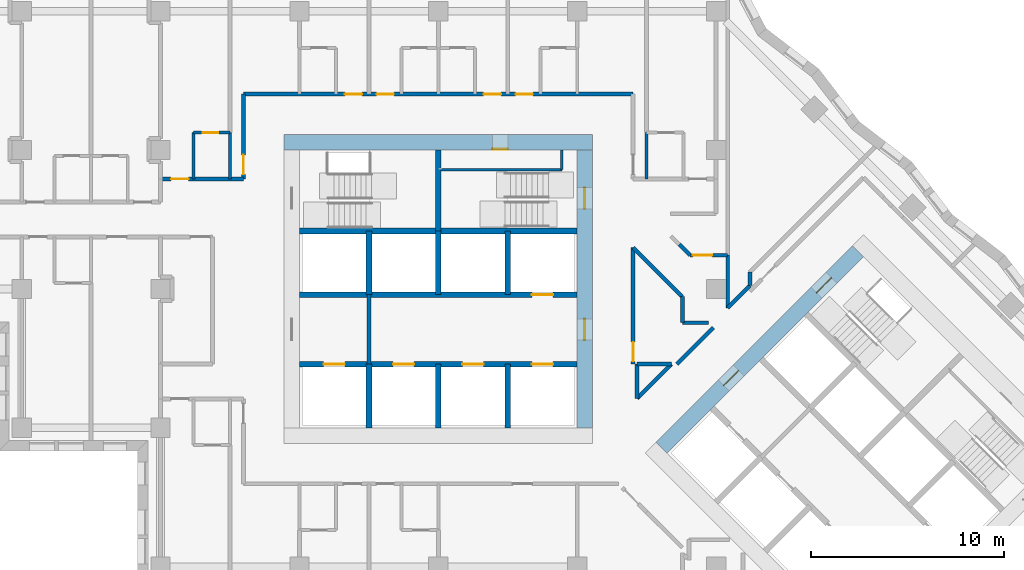
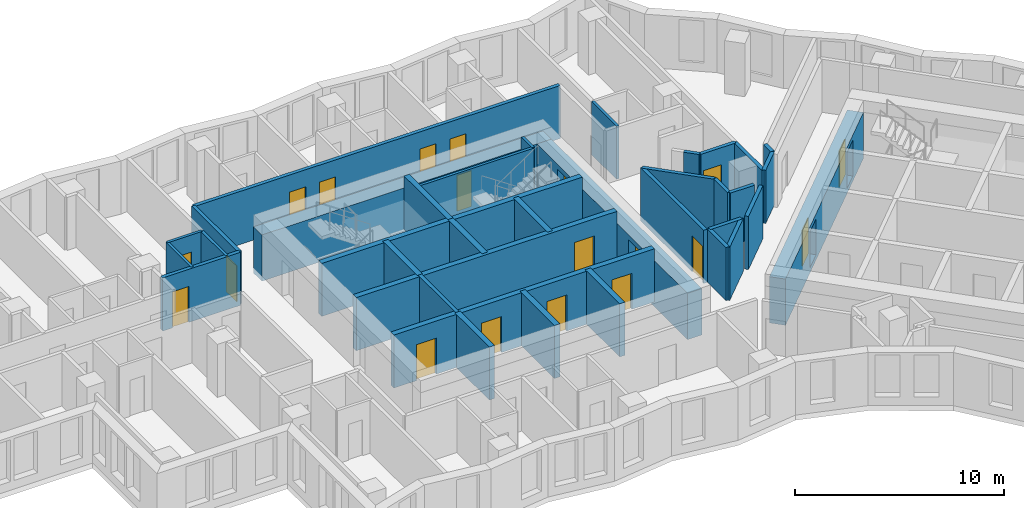
# One storey, part 6 of 13: 37 walls, 19 doors, 19 openings.
"""IFC4 building model written with IfcOpenShell, lengths in metres."""

from ifc_helpers import new_model, si_unit, direction, frame, frame_2d, origin, place, context, subcontext, project, spatial, rectangle, extrude, material, layer, layer_set, type_object, element, fill, save


model = new_model("IFC4")

# Units and contexts
model_context = context("Model", 3, precision=1e-05, world=origin(), true_north=direction((0.0, 1.0)))
body_context = subcontext(model_context, "Body", "Model", "MODEL_VIEW")
ifc_project = project(units=[si_unit("LENGTHUNIT", "METRE"), si_unit("AREAUNIT", "SQUARE_METRE"), si_unit("VOLUMEUNIT", "CUBIC_METRE"), si_unit("PLANEANGLEUNIT", "RADIAN"), si_unit("MASSUNIT", "GRAM", prefix="KILO")], contexts=[model_context])

# Site, building, storey
site_placement = place(None, origin())
site = spatial("IfcSite", under=ifc_project, at=site_placement, CompositionType="ELEMENT")
building_placement = place(site_placement, origin())
building = spatial("IfcBuilding", under=site, at=building_placement, Name="Windrow Commons", CompositionType="ELEMENT")
storey_placement = place(building_placement, frame((0.0, 0.0, 98.2)))
storey = spatial("IfcBuildingStorey", under=building, at=storey_placement, Name="L26", CompositionType="ELEMENT", Elevation=98.2)

# Wall
ifc_material_1 = material(Name="Blockwork partition", Category="masonry")
ifc_layer_1 = layer(ifc_material_1, 0.2)
ifc_layer_set_1 = layer_set([ifc_layer_1], Name="Fire lobby partition 200")
wall_type_1 = type_object("IfcWallType", Name="Fire lobby partition 200", PredefinedType="PARTITIONING", material=ifc_layer_set_1)
wall_1_placement = place(storey_placement, frame((61.2, 53.7, 0.0), z_axis=(0.0, 0.0, 1.0), x_axis=(0.0, 1.0, 0.0)))
element("IfcWall", 1, at=wall_1_placement, inside=storey, type_object=wall_type_1, Name="W-core-lobby-A-L26", PredefinedType="PARTITIONING", context=body_context, shape_type="SweptSolid", body=[
    extrude(rectangle(XDim=3.6, YDim=0.2, at=frame_2d((1.8, 0.0))), origin(), (0.0, 0.0, 1.0), 3.1),
])

# Wall, openings, doors
ifc_material_2 = material(Name="Blockwork partition", Category="masonry")
ifc_layer_2 = layer(ifc_material_2, 0.2)
ifc_layer_set_2 = layer_set([ifc_layer_2], Name="IW-CORRIDOR-200")
wall_type_2 = type_object("IfcWallType", Name="IW-CORRIDOR-200", PredefinedType="PARTITIONING", material=ifc_layer_set_2)
wall_2_placement = place(storey_placement, frame((54.7, 67.7, 0.0), z_axis=(0.0, 0.0, 1.0), x_axis=(1.0, 0.0, 0.0)))
wall_2 = element("IfcWall", 2, at=wall_2_placement, inside=storey, type_object=wall_type_2, Name="W-L26-W001", PredefinedType="PARTITIONING", context=body_context, shape_type="SweptSolid", body=[
    extrude(rectangle(XDim=20.2, YDim=0.2, at=frame_2d((10.1, 0.0))), origin(), (0.0, 0.0, 1.0), 3.1),
])
opening_1_placement = place(wall_2_placement, frame((5.25, 0.0, 0.0)))
opening_1 = element("IfcOpeningElement", 3, at=opening_1_placement, cuts=wall_2, Name="Opening D109S", PredefinedType="OPENING", context=body_context, shape_type="SweptSolid", body=[
    extrude(rectangle(XDim=0.9, YDim=2.1, at=frame_2d((0.45, 1.05))), frame((0.0, 0.11, 0.0), z_axis=(0.0, -1.0, 0.0), x_axis=(1.0, 0.0, 0.0)), (0.0, 0.0, 1.0), 0.22),
])
opening_2_placement = place(wall_2_placement, frame((6.9, 0.0, 0.0)))
opening_2 = element("IfcOpeningElement", 4, at=opening_2_placement, cuts=wall_2, Name="Opening D109S", PredefinedType="OPENING", context=body_context, shape_type="SweptSolid", body=[
    extrude(rectangle(XDim=0.9, YDim=2.1, at=frame_2d((0.45, 1.05))), frame((0.0, 0.11, 0.0), z_axis=(0.0, -1.0, 0.0), x_axis=(1.0, 0.0, 0.0)), (0.0, 0.0, 1.0), 0.22),
])
opening_3_placement = place(wall_2_placement, frame((12.45, 0.0, 0.0)))
opening_3 = element("IfcOpeningElement", 5, at=opening_3_placement, cuts=wall_2, Name="Opening D109S", PredefinedType="OPENING", context=body_context, shape_type="SweptSolid", body=[
    extrude(rectangle(XDim=0.9, YDim=2.1, at=frame_2d((0.45, 1.05))), frame((0.0, 0.11, 0.0), z_axis=(0.0, -1.0, 0.0), x_axis=(1.0, 0.0, 0.0)), (0.0, 0.0, 1.0), 0.22),
])
opening_4_placement = place(wall_2_placement, frame((14.1, 0.0, 0.0)))
opening_4 = element("IfcOpeningElement", 6, at=opening_4_placement, cuts=wall_2, Name="Opening D109S", PredefinedType="OPENING", context=body_context, shape_type="SweptSolid", body=[
    extrude(rectangle(XDim=0.9, YDim=2.1, at=frame_2d((0.45, 1.05))), frame((0.0, 0.11, 0.0), z_axis=(0.0, -1.0, 0.0), x_axis=(1.0, 0.0, 0.0)), (0.0, 0.0, 1.0), 0.22),
])
ifc_material_3 = material(Name="Timber door leaf", Category="wood")
door_type_1 = type_object("IfcDoorType", Name="DT-BEDROOM-900", OperationType="SINGLE_SWING_LEFT", PredefinedType="DOOR", material=ifc_material_3)
door_1_placement = place(opening_1_placement, origin())
door_1 = element("IfcDoor", 7, at=door_1_placement, inside=storey, type_object=door_type_1, Name="D-L26-D029", OperationType="SINGLE_SWING_RIGHT", OverallHeight=2.1, OverallWidth=0.9, PredefinedType="DOOR", context=body_context, shape_type="SweptSolid", body=[
    extrude(rectangle(XDim=0.9, YDim=2.1, at=frame_2d((0.45, 1.05))), frame((0.0, 0.025, 0.0), z_axis=(0.0, -1.0, 0.0), x_axis=(1.0, 0.0, 0.0)), (0.0, 0.0, 1.0), 0.05),
])
fill(opening_1, door_1)
door_2_placement = place(opening_2_placement, origin())
door_2 = element("IfcDoor", 8, at=door_2_placement, inside=storey, type_object=door_type_1, Name="D-L26-D031", OperationType="SINGLE_SWING_LEFT", OverallHeight=2.1, OverallWidth=0.9, PredefinedType="DOOR", context=body_context, shape_type="SweptSolid", body=[
    extrude(rectangle(XDim=0.9, YDim=2.1, at=frame_2d((0.45, 1.05))), frame((0.0, 0.025, 0.0), z_axis=(0.0, -1.0, 0.0), x_axis=(1.0, 0.0, 0.0)), (0.0, 0.0, 1.0), 0.05),
])
fill(opening_2, door_2)
door_3_placement = place(opening_3_placement, origin())
door_3 = element("IfcDoor", 9, at=door_3_placement, inside=storey, type_object=door_type_1, Name="D-L26-D033", OperationType="SINGLE_SWING_RIGHT", OverallHeight=2.1, OverallWidth=0.9, PredefinedType="DOOR", context=body_context, shape_type="SweptSolid", body=[
    extrude(rectangle(XDim=0.9, YDim=2.1, at=frame_2d((0.45, 1.05))), frame((0.0, 0.025, 0.0), z_axis=(0.0, -1.0, 0.0), x_axis=(1.0, 0.0, 0.0)), (0.0, 0.0, 1.0), 0.05),
])
fill(opening_3, door_3)
door_4_placement = place(opening_4_placement, origin())
door_4 = element("IfcDoor", 10, at=door_4_placement, inside=storey, type_object=door_type_1, Name="D-L26-D035", OperationType="SINGLE_SWING_LEFT", OverallHeight=2.1, OverallWidth=0.9, PredefinedType="DOOR", context=body_context, shape_type="SweptSolid", body=[
    extrude(rectangle(XDim=0.9, YDim=2.1, at=frame_2d((0.45, 1.05))), frame((0.0, 0.025, 0.0), z_axis=(0.0, -1.0, 0.0), x_axis=(1.0, 0.0, 0.0)), (0.0, 0.0, 1.0), 0.05),
])
fill(opening_4, door_4)

# Wall, opening, door
wall_3_placement = place(storey_placement, frame((74.9, 53.7, 0.0), z_axis=(0.0, 0.0, 1.0), x_axis=(0.0, 1.0, 0.0)))
wall_3 = element("IfcWall", 11, at=wall_3_placement, inside=storey, type_object=wall_type_2, Name="W-L26-W032", PredefinedType="PARTITIONING", context=body_context, shape_type="SweptSolid", body=[
    extrude(rectangle(XDim=6.052, YDim=0.2, at=frame_2d((3.026, 0.0))), origin(), (0.0, 0.0, 1.0), 3.1),
])
opening_5_placement = place(wall_3_placement, frame((0.142, 0.0, 0.0)))
opening_5 = element("IfcOpeningElement", 12, at=opening_5_placement, cuts=wall_3, Name="Opening D310F", PredefinedType="OPENING", context=body_context, shape_type="SweptSolid", body=[
    extrude(rectangle(XDim=1.0, YDim=2.1, at=frame_2d((0.5, 1.05))), frame((0.0, 0.11, 0.0), z_axis=(0.0, -1.0, 0.0), x_axis=(1.0, 0.0, 0.0)), (0.0, 0.0, 1.0), 0.22),
])
ifc_material_4 = material(Name="Timber door leaf", Category="wood")
door_type_2 = type_object("IfcDoorType", Name="DT-AMENITY-1000", OperationType="SINGLE_SWING_LEFT", PredefinedType="DOOR", material=ifc_material_4)
door_5_placement = place(opening_5_placement, origin())
door_5 = element("IfcDoor", 13, at=door_5_placement, inside=storey, type_object=door_type_2, Name="D-L26-D000", OperationType="SINGLE_SWING_LEFT", OverallHeight=2.1, OverallWidth=1.0, PredefinedType="DOOR", context=body_context, shape_type="SweptSolid", body=[
    extrude(rectangle(XDim=1.0, YDim=2.1, at=frame_2d((0.5, 1.05))), frame((0.0, 0.025, 0.0), z_axis=(0.0, -1.0, 0.0), x_axis=(1.0, 0.0, 0.0)), (0.0, 0.0, 1.0), 0.05),
])
fill(opening_5, door_5)

wall_4_placement = place(storey_placement, frame((54.7, 63.302, 0.0), z_axis=(0.0, 0.0, 1.0), x_axis=(0.0, 1.0, 0.0)))
wall_4 = element("IfcWall", 14, at=wall_4_placement, inside=storey, type_object=wall_type_2, Name="W-L26-W047", PredefinedType="PARTITIONING", context=body_context, shape_type="SweptSolid", body=[
    extrude(rectangle(XDim=4.398, YDim=0.2, at=frame_2d((2.199, 0.0))), origin(), (0.0, 0.0, 1.0), 3.1),
])
opening_6_placement = place(wall_4_placement, frame((0.2417, 0.0, 0.0)))
opening_6 = element("IfcOpeningElement", 15, at=opening_6_placement, cuts=wall_4, Name="Opening D310F", PredefinedType="OPENING", context=body_context, shape_type="SweptSolid", body=[
    extrude(rectangle(XDim=1.0, YDim=2.1, at=frame_2d((0.5, 1.05))), frame((0.0, 0.11, 0.0), z_axis=(0.0, -1.0, 0.0), x_axis=(1.0, 0.0, 0.0)), (0.0, 0.0, 1.0), 0.22),
])
door_6_placement = place(opening_6_placement, origin())
door_6 = element("IfcDoor", 16, at=door_6_placement, inside=storey, type_object=door_type_2, Name="D-L26-D021", OperationType="SINGLE_SWING_LEFT", OverallHeight=2.1, OverallWidth=1.0, PredefinedType="DOOR", context=body_context, shape_type="SweptSolid", body=[
    extrude(rectangle(XDim=1.0, YDim=2.1, at=frame_2d((0.5, 1.05))), frame((0.0, 0.025, 0.0), z_axis=(0.0, -1.0, 0.0), x_axis=(1.0, 0.0, 0.0)), (0.0, 0.0, 1.0), 0.05),
])
fill(opening_6, door_6)

wall_5_placement = place(storey_placement, frame((50.4, 63.3, 0.0), z_axis=(0.0, 0.0, 1.0), x_axis=(1.0, 0.0, 0.0)))
wall_5 = element("IfcWall", 17, at=wall_5_placement, inside=storey, type_object=wall_type_2, Name="W-L26-W052", PredefinedType="PARTITIONING", context=body_context, shape_type="SweptSolid", body=[
    extrude(rectangle(XDim=4.3, YDim=0.2, at=frame_2d((2.15, 0.0))), origin(), (0.0, 0.0, 1.0), 3.1),
])
opening_7_placement = place(wall_5_placement, frame((0.5517, 0.0, 0.0)))
opening_7 = element("IfcOpeningElement", 18, at=opening_7_placement, cuts=wall_5, Name="Opening D109S", PredefinedType="OPENING", context=body_context, shape_type="SweptSolid", body=[
    extrude(rectangle(XDim=0.9, YDim=2.1, at=frame_2d((0.45, 1.05))), frame((0.0, 0.11, 0.0), z_axis=(0.0, -1.0, 0.0), x_axis=(1.0, 0.0, 0.0)), (0.0, 0.0, 1.0), 0.22),
])
door_7_placement = place(opening_7_placement, origin())
door_7 = element("IfcDoor", 19, at=door_7_placement, inside=storey, type_object=door_type_1, Name="D-L26-D019", OperationType="SINGLE_SWING_RIGHT", OverallHeight=2.1, OverallWidth=0.9, PredefinedType="DOOR", context=body_context, shape_type="SweptSolid", body=[
    extrude(rectangle(XDim=0.9, YDim=2.1, at=frame_2d((0.45, 1.05))), frame((0.0, 0.025, 0.0), z_axis=(0.0, -1.0, 0.0), x_axis=(1.0, 0.0, 0.0)), (0.0, 0.0, 1.0), 0.05),
])
fill(opening_7, door_7)

# Walls
wall_6_placement = place(storey_placement, frame((74.8986, 59.7486, 0.0), z_axis=(0.0, 0.0, 1.0), x_axis=(0.7071067812, -0.7071067812, 0.0)))
element("IfcWall", 20, at=wall_6_placement, inside=storey, type_object=wall_type_2, Name="W-L26-W058", PredefinedType="PARTITIONING", context=body_context, shape_type="SweptSolid", body=[
    extrude(rectangle(XDim=3.6006, YDim=0.2, at=frame_2d((1.8003, 0.0))), origin(), (0.0, 0.0, 1.0), 3.1),
])
wall_7_placement = place(storey_placement, frame((79.8, 56.622, 0.0), z_axis=(0.0, 0.0, 1.0), x_axis=(0.0, 1.0, 0.0)))
element("IfcWall", 21, at=wall_7_placement, inside=storey, type_object=wall_type_2, Name="W-L26-W065", PredefinedType="PARTITIONING", context=body_context, shape_type="SweptSolid", body=[
    extrude(rectangle(XDim=2.728, YDim=0.2, at=frame_2d((1.364, 0.0))), origin(), (0.0, 0.0, 1.0), 3.1),
])
wall_8_placement = place(storey_placement, frame((77.1629, 53.7011, 0.0), z_axis=(0.0, 0.0, 1.0), x_axis=(0.7071067812, 0.7071067812, 0.0)))
element("IfcWall", 22, at=wall_8_placement, inside=storey, type_object=wall_type_2, Name="W-L26-W068", PredefinedType="PARTITIONING", context=body_context, shape_type="SweptSolid", body=[
    extrude(rectangle(XDim=2.6785, YDim=0.2, at=frame_2d((1.3393, 0.0))), origin(), (0.0, 0.0, 1.0), 3.1),
])
wall_9_placement = place(storey_placement, frame((75.1015, 51.9225, 0.0), z_axis=(0.0, 0.0, 1.0), x_axis=(0.7071067812, 0.7071067812, 0.0)))
element("IfcWall", 23, at=wall_9_placement, inside=storey, type_object=wall_type_2, Name="W-L26-W070", PredefinedType="PARTITIONING", context=body_context, shape_type="SweptSolid", body=[
    extrude(rectangle(XDim=2.5145, YDim=0.2, at=frame_2d((1.2572, 0.0))), origin(), (0.0, 0.0, 1.0), 3.1),
])

# Wall, opening, door
wall_10_placement = place(storey_placement, frame((77.854, 59.35, 0.0), z_axis=(0.0, 0.0, 1.0), x_axis=(1.0, 0.0, 0.0)))
wall_10 = element("IfcWall", 24, at=wall_10_placement, inside=storey, type_object=wall_type_2, Name="W-L26-W130", PredefinedType="PARTITIONING", context=body_context, shape_type="SweptSolid", body=[
    extrude(rectangle(XDim=1.946, YDim=0.2, at=frame_2d((0.973, 0.0))), origin(), (0.0, 0.0, 1.0), 3.1),
])
opening_8_placement = place(wall_10_placement, frame((0.1348, 0.0, 0.0)))
opening_8 = element("IfcOpeningElement", 25, at=opening_8_placement, cuts=wall_10, Name="Opening D410F", PredefinedType="OPENING", context=body_context, shape_type="SweptSolid", body=[
    extrude(rectangle(XDim=1.0, YDim=2.1, at=frame_2d((0.5, 1.05))), frame((0.0, 0.11, 0.0), z_axis=(0.0, -1.0, 0.0), x_axis=(1.0, 0.0, 0.0)), (0.0, 0.0, 1.0), 0.22),
])
ifc_material_5 = material(Name="Timber door leaf", Category="wood")
door_type_3 = type_object("IfcDoorType", Name="DT-SERVICE-1000", OperationType="SINGLE_SWING_LEFT", PredefinedType="DOOR", material=ifc_material_5)
door_8_placement = place(opening_8_placement, origin())
door_8 = element("IfcDoor", 26, at=door_8_placement, inside=storey, type_object=door_type_3, Name="D-L26-D043", OperationType="SINGLE_SWING_LEFT", OverallHeight=2.1, OverallWidth=1.0, PredefinedType="DOOR", context=body_context, shape_type="SweptSolid", body=[
    extrude(rectangle(XDim=1.0, YDim=2.1, at=frame_2d((0.5, 1.05))), frame((0.0, 0.025, 0.0), z_axis=(0.0, -1.0, 0.0), x_axis=(1.0, 0.0, 0.0)), (0.0, 0.0, 1.0), 0.05),
])
fill(opening_8, door_8)

# Walls
wall_11_placement = place(storey_placement, frame((75.1, 51.922, 0.0), z_axis=(0.0, 0.0, 1.0), x_axis=(0.0, 1.0, 0.0)))
element("IfcWall", 27, at=wall_11_placement, inside=storey, type_object=wall_type_2, Name="W-L26-W157", PredefinedType="PARTITIONING", context=body_context, shape_type="SweptSolid", body=[
    extrude(rectangle(XDim=1.778, YDim=0.2, at=frame_2d((0.889, 0.0))), origin(), (0.0, 0.0, 1.0), 3.1),
])
wall_12_placement = place(storey_placement, frame((79.8015, 56.6225, 0.0), z_axis=(0.0, 0.0, 1.0), x_axis=(0.7071067812, 0.7071067812, 0.0)))
element("IfcWall", 28, at=wall_12_placement, inside=storey, type_object=wall_type_2, Name="W-L26-W159", PredefinedType="PARTITIONING", context=body_context, shape_type="SweptSolid", body=[
    extrude(rectangle(XDim=1.6235, YDim=0.2, at=frame_2d((0.8117, 0.0))), origin(), (0.0, 0.0, 1.0), 3.1),
])
for number, where, z_axis, x_axis, name in (
    (29, (77.45, 55.852, 0.0), (0.0, 0.0, 1.0), (0.0, 1.0, 0.0), "W-L26-W172"),
    (30, (77.452, 55.85, 0.0), (0.0, 0.0, 1.0), (1.0, 0.0, 0.0), "W-L26-W173"),
):
    element("IfcWall", number, at=place(storey_placement, frame(where, z_axis=z_axis, x_axis=x_axis)), inside=storey, type_object=wall_type_2, Name=name, PredefinedType="PARTITIONING", context=body_context, shape_type="SweptSolid", body=[
        extrude(rectangle(XDim=1.348, YDim=0.2, at=frame_2d((0.674, 0.0))), origin(), (0.0, 0.0, 1.0), 3.1),
    ])
wall_13_placement = place(storey_placement, frame((77.2891, 59.9071, 0.0), z_axis=(0.0, 0.0, 1.0), x_axis=(0.7083796976, -0.7058315692, 0.0)))
element("IfcWall", 31, at=wall_13_placement, inside=storey, type_object=wall_type_2, Name="W-L26-W187", PredefinedType="PARTITIONING", context=body_context, shape_type="SweptSolid", body=[
    extrude(rectangle(XDim=0.7849, YDim=0.2, at=frame_2d((0.3925, 0.0))), origin(), (0.0, 0.0, 1.0), 3.1),
])
ifc_material_6 = material(Name="Blockwork partition", Category="masonry")
ifc_layer_3 = layer(ifc_material_6, 0.15)
ifc_layer_set_3 = layer_set([ifc_layer_3], Name="IW-ENSUITE-150")
wall_type_3 = type_object("IfcWallType", Name="IW-ENSUITE-150", PredefinedType="PARTITIONING", material=ifc_layer_set_3)
for number, where, z_axis, x_axis, name in (
    (32, (52.1, 63.3, 0.0), (0.0, 0.0, 1.0), (0.0, 1.0, 0.0), "W-L26-W073"),
    (33, (54.0, 63.3, 0.0), (0.0, 0.0, 1.0), (0.0, 1.0, 0.0), "W-L26-W074"),
    (34, (75.6, 63.3, 0.0), (0.0, 0.0, 1.0), (0.0, 1.0, 0.0), "W-L26-W075"),
):
    element("IfcWall", number, at=place(storey_placement, frame(where, z_axis=z_axis, x_axis=x_axis)), inside=storey, type_object=wall_type_3, Name=name, PredefinedType="PARTITIONING", context=body_context, shape_type="SweptSolid", body=[
        extrude(rectangle(XDim=2.4, YDim=0.15, at=frame_2d((1.2, 0.0))), origin(), (0.0, 0.0, 1.0), 3.1),
    ])

# Wall, opening, door
wall_14_placement = place(storey_placement, frame((52.1, 65.7, 0.0), z_axis=(0.0, 0.0, 1.0), x_axis=(1.0, 0.0, 0.0)))
wall_14 = element("IfcWall", 35, at=wall_14_placement, inside=storey, type_object=wall_type_3, Name="W-L26-W140", PredefinedType="PARTITIONING", context=body_context, shape_type="SweptSolid", body=[
    extrude(rectangle(XDim=1.9, YDim=0.15, at=frame_2d((0.95, 0.0))), origin(), (0.0, 0.0, 1.0), 3.1),
])
opening_9_placement = place(wall_14_placement, frame((0.4931, 0.0, 0.0)))
opening_9 = element("IfcOpeningElement", 36, at=opening_9_placement, cuts=wall_14, Name="Opening D208N", PredefinedType="OPENING", context=body_context, shape_type="SweptSolid", body=[
    extrude(rectangle(XDim=0.8, YDim=2.1, at=frame_2d((0.4, 1.05))), frame((0.0, 0.085, 0.0), z_axis=(0.0, -1.0, 0.0), x_axis=(1.0, 0.0, 0.0)), (0.0, 0.0, 1.0), 0.17),
])
ifc_material_7 = material(Name="Timber door leaf", Category="wood")
door_type_4 = type_object("IfcDoorType", Name="DT-ENSUITE-800", OperationType="SINGLE_SWING_LEFT", PredefinedType="DOOR", material=ifc_material_7)
door_9_placement = place(opening_9_placement, origin())
door_9 = element("IfcDoor", 37, at=door_9_placement, inside=storey, type_object=door_type_4, Name="D-L26-D020", OperationType="SINGLE_SWING_RIGHT", OverallHeight=2.1, OverallWidth=0.8, PredefinedType="DOOR", context=body_context, shape_type="SweptSolid", body=[
    extrude(rectangle(XDim=0.8, YDim=2.1, at=frame_2d((0.4, 1.05))), frame((0.0, 0.025, 0.0), z_axis=(0.0, -1.0, 0.0), x_axis=(1.0, 0.0, 0.0)), (0.0, 0.0, 1.0), 0.05),
])
fill(opening_9, door_9)

# Walls
ifc_material_8 = material(Name="Blockwork partition", Category="masonry")
ifc_layer_4 = layer(ifc_material_8, 0.2)
ifc_layer_set_4 = layer_set([ifc_layer_4], Name="IW-PARTY-200")
wall_type_4 = type_object("IfcWallType", Name="IW-PARTY-200", PredefinedType="PARTITIONING", material=ifc_layer_set_4)
wall_15_placement = place(storey_placement, frame((75.1, 53.7, 0.0), z_axis=(0.0, 0.0, 1.0), x_axis=(1.0, 0.0, 0.0)))
element("IfcWall", 38, at=wall_15_placement, inside=storey, type_object=wall_type_4, Name="W-L26-W155", PredefinedType="PARTITIONING", context=body_context, shape_type="SweptSolid", body=[
    extrude(rectangle(XDim=1.78, YDim=0.2, at=frame_2d((0.89, 0.0))), origin(), (0.0, 0.0, 1.0), 3.1),
])
wall_16_placement = place(storey_placement, frame((80.95, 57.77, 0.0), z_axis=(0.0, 0.0, 1.0), x_axis=(0.0, 1.0, 0.0)))
element("IfcWall", 39, at=wall_16_placement, inside=storey, type_object=wall_type_4, Name="W-L26-W189", PredefinedType="PARTITIONING", context=body_context, shape_type="SweptSolid", body=[
    extrude(rectangle(XDim=0.706, YDim=0.2, at=frame_2d((0.353, 0.0))), origin(), (0.0, 0.0, 1.0), 3.1),
])

# Wall, opening, door
ifc_material_9 = material(Name="Concrete C50/60", Category="concrete")
ifc_layer_5 = layer(ifc_material_9, 0.8)
ifc_layer_set_5 = layer_set([ifc_layer_5], Name="RC CORE WALL 800 C50/60")
wall_type_5 = type_object("IfcWallType", Name="RC CORE WALL 800 C50/60", PredefinedType="SHEAR", material=ifc_layer_set_5)
wall_17_placement = place(storey_placement, frame((56.8, 65.2, -0.3), z_axis=(0.0, 0.0, 1.0), x_axis=(1.0, 0.0, 0.0)))
wall_17 = element("IfcWall", 40, at=wall_17_placement, inside=storey, type_object=wall_type_5, Name="Core A wall outer-N", PredefinedType="SHEAR", context=body_context, shape_type="SweptSolid", body=[
    extrude(rectangle(XDim=16.0, YDim=0.8, at=frame_2d((8.0, 0.0))), origin(), (0.0, 0.0, 1.0), 2.7),
])
opening_10_placement = place(wall_17_placement, frame((10.8, 0.0, 0.3)))
opening_10 = element("IfcOpeningElement", 41, at=opening_10_placement, cuts=wall_17, Name="Opening D9", PredefinedType="OPENING", context=body_context, shape_type="SweptSolid", body=[
    extrude(rectangle(XDim=0.8, YDim=2.1, at=frame_2d((0.4, 1.05))), frame((0.0, 0.41, 0.0), z_axis=(0.0, -1.0, 0.0), x_axis=(1.0, 0.0, 0.0)), (0.0, 0.0, 1.0), 0.82),
])
ifc_material_10 = material(Name="Steel fire door leaf", Category="steel")
door_type_5 = type_object("IfcDoorType", Name="Riser access door 800", OperationType="SINGLE_SWING_LEFT", PredefinedType="DOOR", material=ifc_material_10)
door_10_placement = place(opening_10_placement, origin())
door_10 = element("IfcDoor", 42, at=door_10_placement, inside=storey, type_object=door_type_5, Name="Riser access door", OperationType="SINGLE_SWING_RIGHT", OverallHeight=2.1, OverallWidth=0.8, PredefinedType="DOOR", context=body_context, shape_type="SweptSolid", body=[
    extrude(rectangle(XDim=0.8, YDim=2.1, at=frame_2d((0.4, 1.05))), frame((0.0, -0.34, 0.0), z_axis=(0.0, -1.0, 0.0), x_axis=(1.0, 0.0, 0.0)), (0.0, 0.0, 1.0), 0.05),
])
fill(opening_10, door_10)

# Wall, openings, doors
wall_18_placement = place(storey_placement, frame((72.4, 50.4, -0.3), z_axis=(0.0, 0.0, 1.0), x_axis=(0.0, 1.0, 0.0)))
wall_18 = element("IfcWall", 43, at=wall_18_placement, inside=storey, type_object=wall_type_5, Name="Core A wall outer-E", PredefinedType="SHEAR", context=body_context, shape_type="SweptSolid", body=[
    extrude(rectangle(XDim=14.4, YDim=0.8, at=frame_2d((7.2, 0.0))), origin(), (0.0, 0.0, 1.0), 2.7),
])
opening_11_placement = place(wall_18_placement, frame((4.55, 0.0, 0.3)))
opening_11 = element("IfcOpeningElement", 44, at=opening_11_placement, cuts=wall_18, Name="Opening D6", PredefinedType="OPENING", context=body_context, shape_type="SweptSolid", body=[
    extrude(rectangle(XDim=1.1, YDim=2.1, at=frame_2d((0.55, 1.05))), frame((0.0, 0.41, 0.0), z_axis=(0.0, -1.0, 0.0), x_axis=(1.0, 0.0, 0.0)), (0.0, 0.0, 1.0), 0.82),
])
opening_12_placement = place(wall_18_placement, frame((11.35, 0.0, 0.3)))
opening_12 = element("IfcOpeningElement", 45, at=opening_12_placement, cuts=wall_18, Name="Opening D7", PredefinedType="OPENING", context=body_context, shape_type="SweptSolid", body=[
    extrude(rectangle(XDim=1.1, YDim=2.1, at=frame_2d((0.55, 1.05))), frame((0.0, 0.41, 0.0), z_axis=(0.0, -1.0, 0.0), x_axis=(1.0, 0.0, 0.0)), (0.0, 0.0, 1.0), 0.82),
])
ifc_material_11 = material(Name="Steel fire door leaf", Category="steel")
door_type_6 = type_object("IfcDoorType", Name="Core lobby door 1100", OperationType="SINGLE_SWING_LEFT", PredefinedType="DOOR", material=ifc_material_11)
door_11_placement = place(opening_11_placement, origin())
door_11 = element("IfcDoor", 46, at=door_11_placement, inside=storey, type_object=door_type_6, Name="Lift lobby door", OperationType="DOUBLE_DOOR_SINGLE_SWING", OverallHeight=2.1, OverallWidth=1.1, PredefinedType="DOOR", context=body_context, shape_type="SweptSolid", body=[
    extrude(rectangle(XDim=1.1, YDim=2.1, at=frame_2d((0.55, 1.05))), frame((0.0, 0.025, 0.0), z_axis=(0.0, -1.0, 0.0), x_axis=(1.0, 0.0, 0.0)), (0.0, 0.0, 1.0), 0.05),
])
fill(opening_11, door_11)
ifc_material_12 = material(Name="Steel fire door leaf", Category="steel")
door_type_7 = type_object("IfcDoorType", Name="Stair door 1100", OperationType="SINGLE_SWING_LEFT", PredefinedType="DOOR", material=ifc_material_12)
door_12_placement = place(opening_12_placement, origin())
door_12 = element("IfcDoor", 47, at=door_12_placement, inside=storey, type_object=door_type_7, Name="Stair door", OperationType="SINGLE_SWING_RIGHT", OverallHeight=2.1, OverallWidth=1.1, PredefinedType="DOOR", context=body_context, shape_type="SweptSolid", body=[
    extrude(rectangle(XDim=1.1, YDim=2.1, at=frame_2d((0.55, 1.05))), frame((0.0, 0.025, 0.0), z_axis=(0.0, -1.0, 0.0), x_axis=(1.0, 0.0, 0.0)), (0.0, 0.0, 1.0), 0.05),
])
fill(opening_12, door_12)

wall_19_placement = place(storey_placement, frame((76.3716, 49.3726, -0.3), z_axis=(0.0, 0.0, 1.0), x_axis=(0.7071067812, 0.7071067812, 0.0)))
wall_19 = element("IfcWall", 48, at=wall_19_placement, inside=storey, type_object=wall_type_5, Name="Core B wall outer-W", PredefinedType="SHEAR", context=body_context, shape_type="SweptSolid", body=[
    extrude(rectangle(XDim=14.3999, YDim=0.8, at=frame_2d((7.2, 0.0))), origin(), (0.0, 0.0, 1.0), 2.7),
])
opening_13_placement = place(wall_19_placement, frame((4.55, 0.0, 0.3)))
opening_13 = element("IfcOpeningElement", 49, at=opening_13_placement, cuts=wall_19, Name="Opening D6", PredefinedType="OPENING", context=body_context, shape_type="SweptSolid", body=[
    extrude(rectangle(XDim=1.1, YDim=2.1, at=frame_2d((0.55, 1.05))), frame((0.0, 0.41, 0.0), z_axis=(0.0, -1.0, 0.0), x_axis=(1.0, 0.0, 0.0)), (0.0, 0.0, 1.0), 0.82),
])
opening_14_placement = place(wall_19_placement, frame((11.35, 0.0, 0.3)))
opening_14 = element("IfcOpeningElement", 50, at=opening_14_placement, cuts=wall_19, Name="Opening D7", PredefinedType="OPENING", context=body_context, shape_type="SweptSolid", body=[
    extrude(rectangle(XDim=1.1, YDim=2.1, at=frame_2d((0.55, 1.05))), frame((0.0, 0.41, 0.0), z_axis=(0.0, -1.0, 0.0), x_axis=(1.0, 0.0, 0.0)), (0.0, 0.0, 1.0), 0.82),
])
door_13_placement = place(opening_13_placement, origin())
door_13 = element("IfcDoor", 51, at=door_13_placement, inside=storey, type_object=door_type_6, Name="Lift lobby door", OperationType="DOUBLE_DOOR_SINGLE_SWING", OverallHeight=2.1, OverallWidth=1.1, PredefinedType="DOOR", context=body_context, shape_type="SweptSolid", body=[
    extrude(rectangle(XDim=1.1, YDim=2.1, at=frame_2d((0.55, 1.05))), frame((0.0, 0.025, 0.0), z_axis=(0.0, -1.0, 0.0), x_axis=(1.0, 0.0, 0.0)), (0.0, 0.0, 1.0), 0.05),
])
fill(opening_13, door_13)
door_14_placement = place(opening_14_placement, origin())
door_14 = element("IfcDoor", 52, at=door_14_placement, inside=storey, type_object=door_type_7, Name="Stair door", OperationType="SINGLE_SWING_LEFT", OverallHeight=2.1, OverallWidth=1.1, PredefinedType="DOOR", context=body_context, shape_type="SweptSolid", body=[
    extrude(rectangle(XDim=1.1, YDim=2.1, at=frame_2d((0.55, 1.05))), frame((0.0, 0.025, 0.0), z_axis=(0.0, -1.0, 0.0), x_axis=(1.0, 0.0, 0.0)), (0.0, 0.0, 1.0), 0.05),
])
fill(opening_14, door_14)

# Walls
ifc_material_13 = material(Name="Concrete C50/60", Category="concrete")
ifc_layer_6 = layer(ifc_material_13, 0.3)
ifc_layer_set_6 = layer_set([ifc_layer_6], Name="RC SHAFT WALL 300 C50/60")
wall_type_6 = type_object("IfcWallType", Name="RC SHAFT WALL 300 C50/60", PredefinedType="SOLIDWALL", material=ifc_layer_set_6)
for number, where, z_axis, x_axis, name in (
    (53, (61.2, 50.4, 0.0), (0.0, 0.0, 1.0), (0.0, 1.0, 0.0), "Core A wall shaft-S1"),
    (54, (61.2, 57.3, 0.0), (0.0, 0.0, 1.0), (0.0, 1.0, 0.0), "Core A wall shaft-N1"),
    (55, (64.8, 50.4, 0.0), (0.0, 0.0, 1.0), (0.0, 1.0, 0.0), "Core A wall shaft-S2"),
    (56, (64.8, 57.3, 0.0), (0.0, 0.0, 1.0), (0.0, 1.0, 0.0), "Core A wall shaft-N2"),
    (57, (68.4, 50.4, 0.0), (0.0, 0.0, 1.0), (0.0, 1.0, 0.0), "Core A wall shaft-S3"),
    (58, (68.4, 57.3, 0.0), (0.0, 0.0, 1.0), (0.0, 1.0, 0.0), "Core A wall shaft-N3"),
):
    element("IfcWall", number, at=place(storey_placement, frame(where, z_axis=z_axis, x_axis=x_axis)), inside=storey, type_object=wall_type_6, Name=name, PredefinedType="SOLIDWALL", context=body_context, shape_type="SweptSolid", body=[
        extrude(rectangle(XDim=3.3, YDim=0.3, at=frame_2d((1.65, 0.0))), origin(), (0.0, 0.0, 1.0), 3.1),
    ])

# Wall, openings, doors
wall_20_placement = place(storey_placement, frame((57.6, 53.7, 0.0), z_axis=(0.0, 0.0, 1.0), x_axis=(1.0, 0.0, 0.0)))
wall_20 = element("IfcWall", 59, at=wall_20_placement, inside=storey, type_object=wall_type_6, Name="Core A wall lobby-S", PredefinedType="SOLIDWALL", context=body_context, shape_type="SweptSolid", body=[
    extrude(rectangle(XDim=14.4, YDim=0.3, at=frame_2d((7.2, 0.0))), origin(), (0.0, 0.0, 1.0), 3.1),
])
opening_15_placement = place(wall_20_placement, frame((1.25, 0.0, 0.0)))
opening_15 = element("IfcOpeningElement", 60, at=opening_15_placement, cuts=wall_20, Name="Opening LD", PredefinedType="OPENING", context=body_context, shape_type="SweptSolid", body=[
    extrude(rectangle(XDim=1.1, YDim=2.1, at=frame_2d((0.55, 1.05))), frame((0.0, 0.16, 0.0), z_axis=(0.0, -1.0, 0.0), x_axis=(1.0, 0.0, 0.0)), (0.0, 0.0, 1.0), 0.32),
])
opening_16_placement = place(wall_20_placement, frame((4.85, 0.0, 0.0)))
opening_16 = element("IfcOpeningElement", 61, at=opening_16_placement, cuts=wall_20, Name="Opening LD", PredefinedType="OPENING", context=body_context, shape_type="SweptSolid", body=[
    extrude(rectangle(XDim=1.1, YDim=2.1, at=frame_2d((0.55, 1.05))), frame((0.0, 0.16, 0.0), z_axis=(0.0, -1.0, 0.0), x_axis=(1.0, 0.0, 0.0)), (0.0, 0.0, 1.0), 0.32),
])
opening_17_placement = place(wall_20_placement, frame((8.45, 0.0, 0.0)))
opening_17 = element("IfcOpeningElement", 62, at=opening_17_placement, cuts=wall_20, Name="Opening LD", PredefinedType="OPENING", context=body_context, shape_type="SweptSolid", body=[
    extrude(rectangle(XDim=1.1, YDim=2.1, at=frame_2d((0.55, 1.05))), frame((0.0, 0.16, 0.0), z_axis=(0.0, -1.0, 0.0), x_axis=(1.0, 0.0, 0.0)), (0.0, 0.0, 1.0), 0.32),
])
opening_18_placement = place(wall_20_placement, frame((12.05, 0.0, 0.0)))
opening_18 = element("IfcOpeningElement", 63, at=opening_18_placement, cuts=wall_20, Name="Opening LD", PredefinedType="OPENING", context=body_context, shape_type="SweptSolid", body=[
    extrude(rectangle(XDim=1.1, YDim=2.1, at=frame_2d((0.55, 1.05))), frame((0.0, 0.16, 0.0), z_axis=(0.0, -1.0, 0.0), x_axis=(1.0, 0.0, 0.0)), (0.0, 0.0, 1.0), 0.32),
])
ifc_material_14 = material(Name="Stainless steel door leaf", Category="steel")
door_type_8 = type_object("IfcDoorType", Name="Lift landing door 1100", OperationType="SLIDING_TO_LEFT", PredefinedType="DOOR", material=ifc_material_14)
door_15_placement = place(opening_15_placement, origin())
door_15 = element("IfcDoor", 64, at=door_15_placement, inside=storey, type_object=door_type_8, Name="Lift landing door", OperationType="SLIDING_TO_LEFT", OverallHeight=2.1, OverallWidth=1.1, PredefinedType="DOOR", context=body_context, shape_type="SweptSolid", body=[
    extrude(rectangle(XDim=1.1, YDim=2.1, at=frame_2d((0.55, 1.05))), frame((0.0, 0.025, 0.0), z_axis=(0.0, -1.0, 0.0), x_axis=(1.0, 0.0, 0.0)), (0.0, 0.0, 1.0), 0.05),
])
fill(opening_15, door_15)
door_16_placement = place(opening_16_placement, origin())
door_16 = element("IfcDoor", 65, at=door_16_placement, inside=storey, type_object=door_type_8, Name="Lift landing door", OperationType="SLIDING_TO_RIGHT", OverallHeight=2.1, OverallWidth=1.1, PredefinedType="DOOR", context=body_context, shape_type="SweptSolid", body=[
    extrude(rectangle(XDim=1.1, YDim=2.1, at=frame_2d((0.55, 1.05))), frame((0.0, 0.025, 0.0), z_axis=(0.0, -1.0, 0.0), x_axis=(1.0, 0.0, 0.0)), (0.0, 0.0, 1.0), 0.05),
])
fill(opening_16, door_16)
door_17_placement = place(opening_17_placement, origin())
door_17 = element("IfcDoor", 66, at=door_17_placement, inside=storey, type_object=door_type_8, Name="Lift landing door", OperationType="SLIDING_TO_LEFT", OverallHeight=2.1, OverallWidth=1.1, PredefinedType="DOOR", context=body_context, shape_type="SweptSolid", body=[
    extrude(rectangle(XDim=1.1, YDim=2.1, at=frame_2d((0.55, 1.05))), frame((0.0, 0.025, 0.0), z_axis=(0.0, -1.0, 0.0), x_axis=(1.0, 0.0, 0.0)), (0.0, 0.0, 1.0), 0.05),
])
fill(opening_17, door_17)
door_18_placement = place(opening_18_placement, origin())
door_18 = element("IfcDoor", 67, at=door_18_placement, inside=storey, type_object=door_type_8, Name="Lift landing door", OperationType="SLIDING_TO_RIGHT", OverallHeight=2.1, OverallWidth=1.1, PredefinedType="DOOR", context=body_context, shape_type="SweptSolid", body=[
    extrude(rectangle(XDim=1.1, YDim=2.1, at=frame_2d((0.55, 1.05))), frame((0.0, 0.025, 0.0), z_axis=(0.0, -1.0, 0.0), x_axis=(1.0, 0.0, 0.0)), (0.0, 0.0, 1.0), 0.05),
])
fill(opening_18, door_18)

# Wall, opening, door
wall_21_placement = place(storey_placement, frame((57.6, 57.3, 0.0), z_axis=(0.0, 0.0, 1.0), x_axis=(1.0, 0.0, 0.0)))
wall_21 = element("IfcWall", 68, at=wall_21_placement, inside=storey, type_object=wall_type_6, Name="Core A wall lobby-N", PredefinedType="SOLIDWALL", context=body_context, shape_type="SweptSolid", body=[
    extrude(rectangle(XDim=14.4, YDim=0.3, at=frame_2d((7.2, 0.0))), origin(), (0.0, 0.0, 1.0), 3.1),
])
opening_19_placement = place(wall_21_placement, frame((12.05, 0.0, 0.0)))
opening_19 = element("IfcOpeningElement", 69, at=opening_19_placement, cuts=wall_21, Name="Opening LD", PredefinedType="OPENING", context=body_context, shape_type="SweptSolid", body=[
    extrude(rectangle(XDim=1.1, YDim=2.1, at=frame_2d((0.55, 1.05))), frame((0.0, 0.16, 0.0), z_axis=(0.0, -1.0, 0.0), x_axis=(1.0, 0.0, 0.0)), (0.0, 0.0, 1.0), 0.32),
])
door_19_placement = place(opening_19_placement, origin())
door_19 = element("IfcDoor", 70, at=door_19_placement, inside=storey, type_object=door_type_8, Name="Lift landing door", OperationType="SLIDING_TO_RIGHT", OverallHeight=2.1, OverallWidth=1.1, PredefinedType="DOOR", context=body_context, shape_type="SweptSolid", body=[
    extrude(rectangle(XDim=1.1, YDim=2.1, at=frame_2d((0.55, 1.05))), frame((0.0, 0.025, 0.0), z_axis=(0.0, -1.0, 0.0), x_axis=(1.0, 0.0, 0.0)), (0.0, 0.0, 1.0), 0.05),
])
fill(opening_19, door_19)

# Walls
for number, where, z_axis, x_axis, name in (
    (71, (57.6, 60.6, 0.0), (0.0, 0.0, 1.0), (1.0, 0.0, 0.0), "Core A wall stair-S"),
    (72, (64.8, 60.6, 0.0), (0.0, 0.0, 1.0), (1.0, 0.0, 0.0), "Core A wall stair-S2"),
):
    element("IfcWall", number, at=place(storey_placement, frame(where, z_axis=z_axis, x_axis=x_axis)), inside=storey, type_object=wall_type_6, Name=name, PredefinedType="SOLIDWALL", context=body_context, shape_type="SweptSolid", body=[
        extrude(rectangle(XDim=7.2, YDim=0.3, at=frame_2d((3.6, 0.0))), origin(), (0.0, 0.0, 1.0), 3.1),
    ])
wall_22_placement = place(storey_placement, frame((64.8, 60.6, 0.0), z_axis=(0.0, 0.0, 1.0), x_axis=(0.0, 1.0, 0.0)))
element("IfcWall", 73, at=wall_22_placement, inside=storey, type_object=wall_type_6, Name="Core A wall stair-mid", PredefinedType="SOLIDWALL", context=body_context, shape_type="SweptSolid", body=[
    extrude(rectangle(XDim=4.2, YDim=0.3, at=frame_2d((2.1, 0.0))), origin(), (0.0, 0.0, 1.0), 3.1),
])
ifc_material_15 = material(Name="Blockwork partition", Category="masonry")
ifc_layer_7 = layer(ifc_material_15, 0.15)
ifc_layer_set_7 = layer_set([ifc_layer_7], Name="Riser partition 150")
wall_type_7 = type_object("IfcWallType", Name="Riser partition 150", PredefinedType="PARTITIONING", material=ifc_layer_set_7)
wall_23_placement = place(storey_placement, frame((64.95, 63.78, 0.0), z_axis=(0.0, 0.0, 1.0), x_axis=(1.0, 0.0, 0.0)))
element("IfcWall", 74, at=wall_23_placement, inside=storey, type_object=wall_type_7, Name="W-core-strip-A-L26", PredefinedType="PARTITIONING", context=body_context, shape_type="SweptSolid", body=[
    extrude(rectangle(XDim=6.25, YDim=0.15, at=frame_2d((3.125, 0.0))), origin(), (0.0, 0.0, 1.0), 3.1),
])
wall_24_placement = place(storey_placement, frame((71.2, 63.78, 0.0), z_axis=(0.0, 0.0, 1.0), x_axis=(0.0, 1.0, 0.0)))
element("IfcWall", 75, at=wall_24_placement, inside=storey, type_object=wall_type_7, Name="W-core-stripx-A-L26-1", PredefinedType="PARTITIONING", context=body_context, shape_type="SweptSolid", body=[
    extrude(rectangle(XDim=1.02, YDim=0.15, at=frame_2d((0.51, 0.0))), origin(), (0.0, 0.0, 1.0), 3.1),
])

save(model, "model.ifc")
